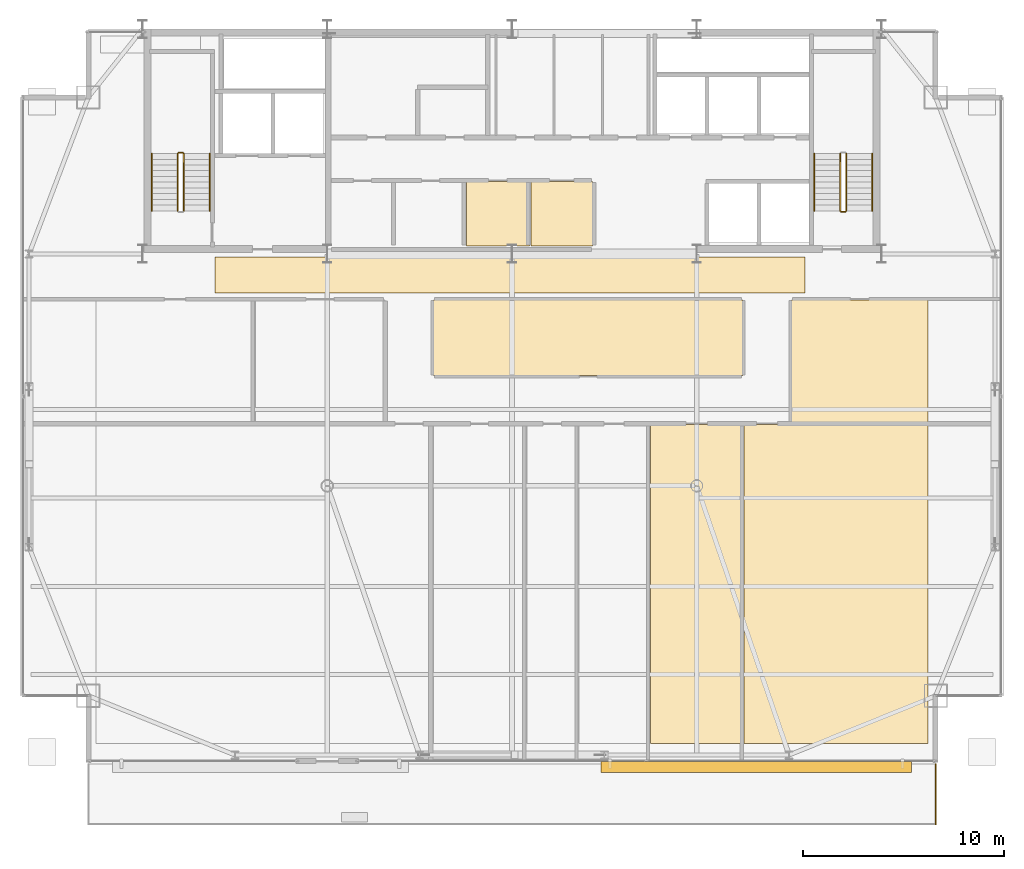
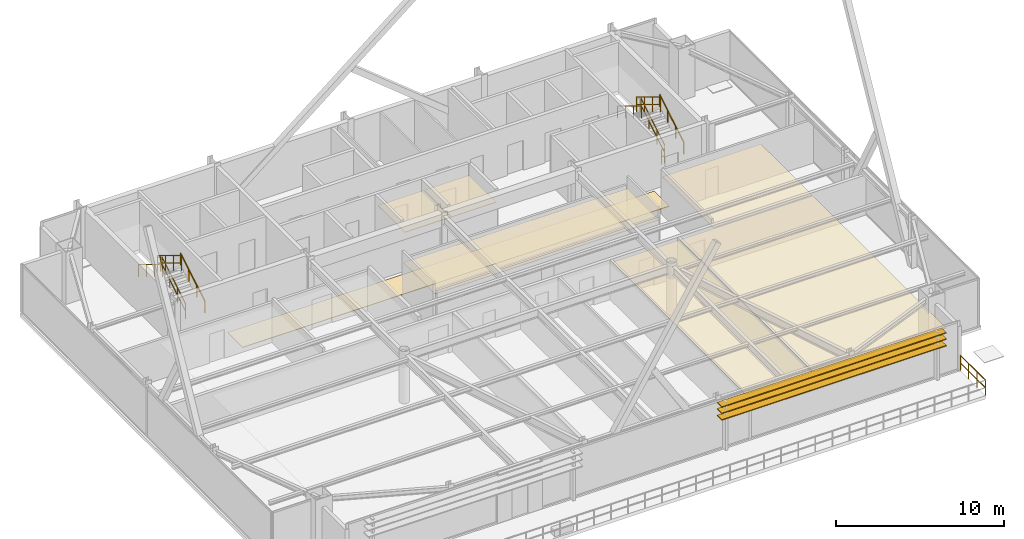
# One storey, part 32 of 33: 11 railings, 7 coverings, 3 shading devices.
"""IFC4 building model written with IfcOpenShell, lengths in metres."""

from ifc_helpers import new_model, si_unit, direction, frame, origin, origin_2d, place, context, subcontext, project, spatial, polyline, rectangle, outline, extrude, source, transform, mapped, material, layer, layer_set, type_object, type_shapes, element, save


model = new_model("IFC4")

# Units and contexts
model_context = context("Model", 3, precision=1e-05, world=origin(), true_north=direction((0.0, 1.0)))
body_context = subcontext(model_context, "Body", "Model", "MODEL_VIEW")
ifc_project = project(units=[si_unit("LENGTHUNIT", "METRE"), si_unit("AREAUNIT", "SQUARE_METRE"), si_unit("VOLUMEUNIT", "CUBIC_METRE"), si_unit("PLANEANGLEUNIT", "RADIAN"), si_unit("MASSUNIT", "GRAM", prefix="KILO")], contexts=[model_context])

# Site, building, storey
site_placement = place(None, origin())
site = spatial("IfcSite", under=ifc_project, at=site_placement, CompositionType="ELEMENT")
building_placement = place(site_placement, origin())
building = spatial("IfcBuilding", under=site, at=building_placement, Name="Varnel Quay Broadcast Tower", CompositionType="ELEMENT")
storey_placement = place(building_placement, frame((0.0, 0.0, 199.800048828125)))
storey = spatial("IfcBuildingStorey", under=building, at=storey_placement, Name="L49", CompositionType="ELEMENT", Elevation=199.800048828125)

# Coverings
ifc_material_1 = material(Name="Micro-Perforated Acoustic Ceiling Tile")
ifc_layer_1 = layer(ifc_material_1, 0.0400390625, Name="Micro-Perforated Acoustic Ceiling Tile")
ifc_layer_set_1 = layer_set([ifc_layer_1], Name="Micro-Perforated Acoustic Ceiling Tile")
covering_type_1 = type_object("IfcCoveringType", Name="Cov_AcousticCeiling", PredefinedType="CEILING", material=ifc_layer_set_1)
covering_1_placement = place(storey_placement, frame((0.0, 0.0, 2.579833984375)))
element("IfcCovering", 1, at=covering_1_placement, inside=storey, type_object=covering_type_1, Name="L49 Broadcast First-Aid & Quiet Room Acoustic Ceiling", PredefinedType="CEILING", context=body_context, shape_type="SweptSolid", body=[
    extrude(outline(polyline([(31.735107421875, 35.985107421875), (34.864990234375, 35.985107421875), (34.864990234375, 39.215087890625), (31.735107421875, 39.215087890625), (31.735107421875, 35.985107421875)])), origin(), (0.0, 0.0, 1.0), 0.0400390625),
])
covering_2_placement = place(storey_placement, frame((0.0, 0.0, 2.579833984375)))
element("IfcCovering", 2, at=covering_2_placement, inside=storey, type_object=covering_type_1, Name="L49 Zone Lighting Dimmer Room Acoustic Ceiling", PredefinedType="CEILING", context=body_context, shape_type="SweptSolid", body=[
    extrude(outline(polyline([(34.93505859375, 35.985107421875), (38.014892578125, 35.985107421875), (38.014892578125, 39.215087890625), (34.93505859375, 39.215087890625), (34.93505859375, 35.985107421875)])), origin(), (0.0, 0.0, 1.0), 0.0400390625),
])
covering_3_placement = place(storey_placement, frame((0.0, 0.0, 2.579833984375)))
element("IfcCovering", 3, at=covering_3_placement, inside=storey, type_object=covering_type_1, Name="L49 Broadcast Seminar Room 5 Acoustic Ceiling", PredefinedType="CEILING", context=body_context, shape_type="SweptSolid", body=[
    extrude(outline(polyline([(40.905029296875, 11.22509765625), (45.4951171875, 11.22509765625), (45.4951171875, 27.114990234375), (40.905029296875, 27.114990234375), (40.905029296875, 11.22509765625)])), origin(), (0.0, 0.0, 1.0), 0.0400390625),
])
covering_4_placement = place(storey_placement, frame((0.0, 0.0, 2.579833984375)))
element("IfcCovering", 4, at=covering_4_placement, inside=storey, type_object=covering_type_1, Name="L49 Press Briefing Room 6 Acoustic Ceiling", PredefinedType="CEILING", context=body_context, shape_type="SweptSolid", body=[
    extrude(outline(polyline([(45.56494140625, 11.22509765625), (54.715087890625, 11.22509765625), (54.715087890625, 27.114990234375), (45.56494140625, 27.114990234375), (45.56494140625, 11.22509765625)])), origin(), (0.0, 0.0, 1.0), 0.0400390625),
])
covering_5_placement = place(storey_placement, frame((0.0, 0.0, 2.579833984375)))
element("IfcCovering", 5, at=covering_5_placement, inside=storey, type_object=covering_type_1, Name="L49 Catering Kitchen 9 Acoustic Ceiling", PredefinedType="CEILING", context=body_context, shape_type="SweptSolid", body=[
    extrude(outline(polyline([(30.0849609375, 29.534912109375), (45.4951171875, 29.534912109375), (45.4951171875, 33.31494140625), (30.0849609375, 33.31494140625), (30.0849609375, 29.534912109375)])), origin(), (0.0, 0.0, 1.0), 0.0400390625),
])
covering_6_placement = place(storey_placement, frame((0.0, 0.0, 2.579833984375)))
element("IfcCovering", 6, at=covering_6_placement, inside=storey, type_object=covering_type_1, Name="L49 Bureau Office 10 Acoustic Ceiling", PredefinedType="CEILING", context=body_context, shape_type="SweptSolid", body=[
    extrude(outline(polyline([(47.9150390625, 27.18505859375), (54.715087890625, 27.18505859375), (54.715087890625, 33.31494140625), (47.9150390625, 33.31494140625), (47.9150390625, 27.18505859375)])), origin(), (0.0, 0.0, 1.0), 0.0400390625),
])
ifc_material_2 = material(Name="Polished Terrazzo & Broadcast Raised Flooring")
ifc_layer_2 = layer(ifc_material_2, 0.0400390625, Name="Polished Terrazzo & Broadcast Raised Flooring")
ifc_layer_set_2 = layer_set([ifc_layer_2], Name="Polished Terrazzo & Broadcast Raised Flooring")
covering_type_2 = type_object("IfcCoveringType", Name="Cov_TerrazzoFloor", PredefinedType="FLOORING", material=ifc_layer_set_2)
covering_7_placement = place(storey_placement, origin())
element("IfcCovering", 7, at=covering_7_placement, inside=storey, type_object=covering_type_2, Name="L49 Corridor Terrazzo Flooring", PredefinedType="FLOORING", context=body_context, shape_type="SweptSolid", body=[
    extrude(outline(polyline([(19.199951171875, 33.64990234375), (48.60009765625, 33.64990234375), (48.60009765625, 35.449951171875), (19.199951171875, 35.449951171875), (19.199951171875, 33.64990234375)])), origin(), (0.0, 0.0, 1.0), 0.0400390625),
])

# Railings
ifc_material_3 = material(Name="Anodised Bronze Aluminium 6063-T6", Category="aluminium")
railing_type_1 = type_object("IfcRailingType", Name="Rail_Balustrade1150", PredefinedType="BALUSTRADE", material=ifc_material_3)
railing_1_placement = place(storey_placement, frame((55.10009765625, 7.199951171875, 0.0)))
element("IfcRailing", 8, at=railing_1_placement, inside=storey, type_object=railing_type_1, Name="L49 Terrace 1 Guard 2", PredefinedType="BALUSTRADE", context=body_context, shape_type="SweptSolid", body=[
    extrude(rectangle(XDim=0.048095703125, YDim=0.048095703125, at=origin_2d()), frame((0.0, 0.0, 1.1259765625), z_axis=(0.0, 1.0, 0.0), x_axis=(-1.0, 0.0, 0.0)), (0.0, 0.0, 1.0), 3.0),
    extrude(rectangle(XDim=0.048095703125, YDim=0.048095703125, at=origin_2d()), frame((0.0, 0.0, 0.574951171875), z_axis=(0.0, 1.0, 0.0), x_axis=(-1.0, 0.0, 0.0)), (0.0, 0.0, 1.0), 3.0),
    extrude(rectangle(XDim=0.0419921875, YDim=0.0419921875, at=origin_2d()), origin(), (0.0, 0.0, 1.0), 1.101806640625),
    extrude(rectangle(XDim=0.0419921875, YDim=0.0419921875, at=origin_2d()), frame((0.0, 1.0, 0.0)), (0.0, 0.0, 1.0), 1.101806640625),
    extrude(rectangle(XDim=0.0419921875, YDim=0.0419921875, at=origin_2d()), frame((0.0, 2.0, 0.0)), (0.0, 0.0, 1.0), 1.101806640625),
    extrude(rectangle(XDim=0.0419921875, YDim=0.0419921875, at=origin_2d()), frame((0.0, 3.0, 0.0)), (0.0, 0.0, 1.0), 1.101806640625),
])
ifc_material_4 = material(Name="Painted Steel Guard and Handrail CSA G40.21 350W", Category="steel")
railing_type_2 = type_object("IfcRailingType", Name="Rail_StairGuard1100", PredefinedType="GUARDRAIL", material=ifc_material_4)
railing_2_placement = place(storey_placement, frame((17.64990234375, 37.75, 0.172607421875)))
element("IfcRailing", 9, at=railing_2_placement, inside=storey, type_object=railing_type_2, Name="L49 ST-01 stair guard 1", PredefinedType="GUARDRAIL", context=body_context, shape_type="SweptSolid", body=[
    extrude(rectangle(XDim=0.048095703125, YDim=0.048095703125, at=origin_2d()), frame((0.0, 0.0, 1.076171875), z_axis=(0.0, 0.855202751398, 0.518293598264), x_axis=(-1.0, 0.0, 0.0)), (0.0, 0.0, 1.0), 3.332763671875),
    extrude(rectangle(XDim=0.048095703125, YDim=0.048095703125, at=origin_2d()), frame((0.0, 0.0, 0.550048828125), z_axis=(0.0, 0.855202751398, 0.518293598264), x_axis=(-1.0, 0.0, 0.0)), (0.0, 0.0, 1.0), 3.332763671875),
    extrude(rectangle(XDim=0.0419921875, YDim=0.0419921875, at=origin_2d()), origin(), (0.0, 0.0, 1.0), 1.052001953125),
    extrude(rectangle(XDim=0.0419921875, YDim=0.0419921875, at=origin_2d()), frame((0.0, 0.949951171875, 0.57568359375)), (0.0, 0.0, 1.0), 1.052001953125),
    extrude(rectangle(XDim=0.0419921875, YDim=0.0419921875, at=origin_2d()), frame((0.0, 1.900146484375, 1.151611328125)), (0.0, 0.0, 1.0), 1.052001953125),
    extrude(rectangle(XDim=0.0419921875, YDim=0.0419921875, at=origin_2d()), frame((0.0, 2.85009765625, 1.727294921875)), (0.0, 0.0, 1.0), 1.052001953125),
])
railing_3_placement = place(storey_placement, frame((17.60009765625, 40.64990234375, 1.89990234375)))
element("IfcRailing", 10, at=railing_3_placement, inside=storey, type_object=railing_type_2, Name="L49 ST-01 stair guard 2", PredefinedType="GUARDRAIL", context=body_context, shape_type="SweptSolid", body=[
    extrude(rectangle(XDim=0.048095703125, YDim=0.048095703125, at=origin_2d()), frame((0.0, 0.0, 1.076171875), z_axis=(-1.0, 0.0, 0.0), x_axis=(0.0, -1.0, 0.0)), (0.0, 0.0, 1.0), 0.2001953125),
    extrude(rectangle(XDim=0.048095703125, YDim=0.048095703125, at=origin_2d()), frame((0.0, 0.0, 0.550048828125), z_axis=(-1.0, 0.0, 0.0), x_axis=(0.0, -1.0, 0.0)), (0.0, 0.0, 1.0), 0.2001953125),
    extrude(rectangle(XDim=0.0419921875, YDim=0.0419921875, at=origin_2d()), origin(), (0.0, 0.0, 1.0), 1.052001953125),
    extrude(rectangle(XDim=0.0419921875, YDim=0.0419921875, at=origin_2d()), frame((-0.2001953125, 0.0, 0.0)), (0.0, 0.0, 1.0), 1.052001953125),
])
railing_4_placement = place(storey_placement, frame((17.35009765625, 40.60009765625, 2.07275390625)))
element("IfcRailing", 11, at=railing_4_placement, inside=storey, type_object=railing_type_2, Name="L49 ST-01 stair guard 3", PredefinedType="GUARDRAIL", context=body_context, shape_type="SweptSolid", body=[
    extrude(rectangle(XDim=0.048095703125, YDim=0.048095703125, at=origin_2d()), frame((0.0, 0.0, 1.076171875), z_axis=(0.0, -0.855202751398, 0.518293598264), x_axis=(1.0, 0.0, 0.0)), (0.0, 0.0, 1.0), 3.332763671875),
    extrude(rectangle(XDim=0.048095703125, YDim=0.048095703125, at=origin_2d()), frame((0.0, 0.0, 0.550048828125), z_axis=(0.0, -0.855202751398, 0.518293598264), x_axis=(1.0, 0.0, 0.0)), (0.0, 0.0, 1.0), 3.332763671875),
    extrude(rectangle(XDim=0.0419921875, YDim=0.0419921875, at=origin_2d()), origin(), (0.0, 0.0, 1.0), 1.052001953125),
    extrude(rectangle(XDim=0.0419921875, YDim=0.0419921875, at=origin_2d()), frame((0.0, -0.949951171875, 0.57568359375)), (0.0, 0.0, 1.0), 1.052001953125),
    extrude(rectangle(XDim=0.0419921875, YDim=0.0419921875, at=origin_2d()), frame((0.0, -1.900146484375, 1.151611328125)), (0.0, 0.0, 1.0), 1.052001953125),
    extrude(rectangle(XDim=0.0419921875, YDim=0.0419921875, at=origin_2d()), frame((0.0, -2.85009765625, 1.727294921875)), (0.0, 0.0, 1.0), 1.052001953125),
])
railing_5_placement = place(storey_placement, frame((50.64990234375, 37.75, 0.172607421875)))
element("IfcRailing", 12, at=railing_5_placement, inside=storey, type_object=railing_type_2, Name="L49 ST-02 stair guard 1", PredefinedType="GUARDRAIL", context=body_context, shape_type="SweptSolid", body=[
    extrude(rectangle(XDim=0.048095703125, YDim=0.048095703125, at=origin_2d()), frame((0.0, 0.0, 1.076171875), z_axis=(0.0, 0.855202751398, 0.518293598264), x_axis=(-1.0, 0.0, 0.0)), (0.0, 0.0, 1.0), 3.332763671875),
    extrude(rectangle(XDim=0.048095703125, YDim=0.048095703125, at=origin_2d()), frame((0.0, 0.0, 0.550048828125), z_axis=(0.0, 0.855202751398, 0.518293598264), x_axis=(-1.0, 0.0, 0.0)), (0.0, 0.0, 1.0), 3.332763671875),
    extrude(rectangle(XDim=0.0419921875, YDim=0.0419921875, at=origin_2d()), origin(), (0.0, 0.0, 1.0), 1.052001953125),
    extrude(rectangle(XDim=0.0419921875, YDim=0.0419921875, at=origin_2d()), frame((0.0, 0.949951171875, 0.57568359375)), (0.0, 0.0, 1.0), 1.052001953125),
    extrude(rectangle(XDim=0.0419921875, YDim=0.0419921875, at=origin_2d()), frame((0.0, 1.900146484375, 1.151611328125)), (0.0, 0.0, 1.0), 1.052001953125),
    extrude(rectangle(XDim=0.0419921875, YDim=0.0419921875, at=origin_2d()), frame((0.0, 2.85009765625, 1.727294921875)), (0.0, 0.0, 1.0), 1.052001953125),
])
railing_6_placement = place(storey_placement, frame((50.35009765625, 40.60009765625, 2.07275390625)))
element("IfcRailing", 13, at=railing_6_placement, inside=storey, type_object=railing_type_2, Name="L49 ST-02 stair guard 3", PredefinedType="GUARDRAIL", context=body_context, shape_type="SweptSolid", body=[
    extrude(rectangle(XDim=0.048095703125, YDim=0.048095703125, at=origin_2d()), frame((0.0, 0.0, 1.076171875), z_axis=(0.0, -0.855202751398, 0.518293598264), x_axis=(1.0, 0.0, 0.0)), (0.0, 0.0, 1.0), 3.332763671875),
    extrude(rectangle(XDim=0.048095703125, YDim=0.048095703125, at=origin_2d()), frame((0.0, 0.0, 0.550048828125), z_axis=(0.0, -0.855202751398, 0.518293598264), x_axis=(1.0, 0.0, 0.0)), (0.0, 0.0, 1.0), 3.332763671875),
    extrude(rectangle(XDim=0.0419921875, YDim=0.0419921875, at=origin_2d()), origin(), (0.0, 0.0, 1.0), 1.052001953125),
    extrude(rectangle(XDim=0.0419921875, YDim=0.0419921875, at=origin_2d()), frame((0.0, -0.949951171875, 0.57568359375)), (0.0, 0.0, 1.0), 1.052001953125),
    extrude(rectangle(XDim=0.0419921875, YDim=0.0419921875, at=origin_2d()), frame((0.0, -1.900146484375, 1.151611328125)), (0.0, 0.0, 1.0), 1.052001953125),
    extrude(rectangle(XDim=0.0419921875, YDim=0.0419921875, at=origin_2d()), frame((0.0, -2.85009765625, 1.727294921875)), (0.0, 0.0, 1.0), 1.052001953125),
])
railing_7_placement = place(storey_placement, frame((50.60009765625, 37.699951171875, 0.0)))
element("IfcRailing", 14, at=railing_7_placement, inside=storey, type_object=railing_type_2, Name="L49 ST-02 stair guard 4", PredefinedType="GUARDRAIL", context=body_context, shape_type="SweptSolid", body=[
    extrude(rectangle(XDim=0.048095703125, YDim=0.048095703125, at=origin_2d()), frame((0.0, 0.0, 1.076171875), z_axis=(-1.0, 0.0, 0.0), x_axis=(0.0, -1.0, 0.0)), (0.0, 0.0, 1.0), 0.2001953125),
    extrude(rectangle(XDim=0.048095703125, YDim=0.048095703125, at=origin_2d()), frame((0.0, 0.0, 0.550048828125), z_axis=(-1.0, 0.0, 0.0), x_axis=(0.0, -1.0, 0.0)), (0.0, 0.0, 1.0), 0.2001953125),
    extrude(rectangle(XDim=0.0419921875, YDim=0.0419921875, at=origin_2d()), origin(), (0.0, 0.0, 1.0), 1.052001953125),
    extrude(rectangle(XDim=0.0419921875, YDim=0.0419921875, at=origin_2d()), frame((-0.2001953125, 0.0, 0.0)), (0.0, 0.0, 1.0), 1.052001953125),
])
railing_type_3 = type_object("IfcRailingType", Name="Rail_StairHandrail900", PredefinedType="HANDRAIL", material=ifc_material_4)
railing_8_placement = place(storey_placement, frame((18.949951171875, 37.75, 0.172607421875)))
element("IfcRailing", 15, at=railing_8_placement, inside=storey, type_object=railing_type_3, Name="L49 ST-01 stair handrail 1", PredefinedType="HANDRAIL", context=body_context, shape_type="SweptSolid", body=[
    extrude(rectangle(XDim=0.048095703125, YDim=0.048095703125, at=origin_2d()), frame((0.0, 0.0, 0.8759765625), z_axis=(0.0, 0.855202751398, 0.518293598264), x_axis=(-1.0, 0.0, 0.0)), (0.0, 0.0, 1.0), 3.332763671875),
    extrude(rectangle(XDim=0.0419921875, YDim=0.0419921875, at=origin_2d()), origin(), (0.0, 0.0, 1.0), 0.851806640625),
    extrude(rectangle(XDim=0.0419921875, YDim=0.0419921875, at=origin_2d()), frame((0.0, 0.949951171875, 0.57568359375)), (0.0, 0.0, 1.0), 0.851806640625),
    extrude(rectangle(XDim=0.0419921875, YDim=0.0419921875, at=origin_2d()), frame((0.0, 1.900146484375, 1.151611328125)), (0.0, 0.0, 1.0), 0.851806640625),
    extrude(rectangle(XDim=0.0419921875, YDim=0.0419921875, at=origin_2d()), frame((0.0, 2.85009765625, 1.727294921875)), (0.0, 0.0, 1.0), 0.851806640625),
])
railing_9_placement = place(storey_placement, frame((16.050048828125, 40.60009765625, 2.07275390625)))
element("IfcRailing", 16, at=railing_9_placement, inside=storey, type_object=railing_type_3, Name="L49 ST-01 stair handrail 2", PredefinedType="HANDRAIL", context=body_context, shape_type="SweptSolid", body=[
    extrude(rectangle(XDim=0.048095703125, YDim=0.048095703125, at=origin_2d()), frame((0.0, 0.0, 0.8759765625), z_axis=(0.0, -0.855202751398, 0.518293598264), x_axis=(1.0, 0.0, 0.0)), (0.0, 0.0, 1.0), 3.332763671875),
    extrude(rectangle(XDim=0.0419921875, YDim=0.0419921875, at=origin_2d()), origin(), (0.0, 0.0, 1.0), 0.851806640625),
    extrude(rectangle(XDim=0.0419921875, YDim=0.0419921875, at=origin_2d()), frame((0.0, -0.949951171875, 0.57568359375)), (0.0, 0.0, 1.0), 0.851806640625),
    extrude(rectangle(XDim=0.0419921875, YDim=0.0419921875, at=origin_2d()), frame((0.0, -1.900146484375, 1.151611328125)), (0.0, 0.0, 1.0), 0.851806640625),
    extrude(rectangle(XDim=0.0419921875, YDim=0.0419921875, at=origin_2d()), frame((0.0, -2.85009765625, 1.727294921875)), (0.0, 0.0, 1.0), 0.851806640625),
])
railing_10_placement = place(storey_placement, frame((51.949951171875, 37.75, 0.172607421875)))
element("IfcRailing", 17, at=railing_10_placement, inside=storey, type_object=railing_type_3, Name="L49 ST-02 stair handrail 1", PredefinedType="HANDRAIL", context=body_context, shape_type="SweptSolid", body=[
    extrude(rectangle(XDim=0.048095703125, YDim=0.048095703125, at=origin_2d()), frame((0.0, 0.0, 0.8759765625), z_axis=(0.0, 0.855202751398, 0.518293598264), x_axis=(-1.0, 0.0, 0.0)), (0.0, 0.0, 1.0), 3.332763671875),
    extrude(rectangle(XDim=0.0419921875, YDim=0.0419921875, at=origin_2d()), origin(), (0.0, 0.0, 1.0), 0.851806640625),
    extrude(rectangle(XDim=0.0419921875, YDim=0.0419921875, at=origin_2d()), frame((0.0, 0.949951171875, 0.57568359375)), (0.0, 0.0, 1.0), 0.851806640625),
    extrude(rectangle(XDim=0.0419921875, YDim=0.0419921875, at=origin_2d()), frame((0.0, 1.900146484375, 1.151611328125)), (0.0, 0.0, 1.0), 0.851806640625),
    extrude(rectangle(XDim=0.0419921875, YDim=0.0419921875, at=origin_2d()), frame((0.0, 2.85009765625, 1.727294921875)), (0.0, 0.0, 1.0), 0.851806640625),
])
railing_11_placement = place(storey_placement, frame((49.050048828125, 40.60009765625, 2.07275390625)))
element("IfcRailing", 18, at=railing_11_placement, inside=storey, type_object=railing_type_3, Name="L49 ST-02 stair handrail 2", PredefinedType="HANDRAIL", context=body_context, shape_type="SweptSolid", body=[
    extrude(rectangle(XDim=0.048095703125, YDim=0.048095703125, at=origin_2d()), frame((0.0, 0.0, 0.8759765625), z_axis=(0.0, -0.855202751398, 0.518293598264), x_axis=(1.0, 0.0, 0.0)), (0.0, 0.0, 1.0), 3.332763671875),
    extrude(rectangle(XDim=0.0419921875, YDim=0.0419921875, at=origin_2d()), origin(), (0.0, 0.0, 1.0), 0.851806640625),
    extrude(rectangle(XDim=0.0419921875, YDim=0.0419921875, at=origin_2d()), frame((0.0, -0.949951171875, 0.57568359375)), (0.0, 0.0, 1.0), 0.851806640625),
    extrude(rectangle(XDim=0.0419921875, YDim=0.0419921875, at=origin_2d()), frame((0.0, -1.900146484375, 1.151611328125)), (0.0, 0.0, 1.0), 0.851806640625),
    extrude(rectangle(XDim=0.0419921875, YDim=0.0419921875, at=origin_2d()), frame((0.0, -2.85009765625, 1.727294921875)), (0.0, 0.0, 1.0), 0.851806640625),
])

# Shading devices
ifc_material_5 = material(Name="Bronze-Terracotta Extruded Ceramic Blade", Category="masonry")
ifc_layer_3 = layer(ifc_material_5, 0.06494140625, Name="Bronze-Terracotta Extruded Ceramic Blade")
ifc_layer_set_3 = layer_set([ifc_layer_3], Name="Bronze-Terracotta Extruded Ceramic Blade")
shading_device_type = type_object("IfcShadingDeviceType", Name="Shade_LouvreBlade550", PredefinedType="JALOUSIE", material=ifc_layer_set_3)
shared_shape = source(origin(), body_context, "Body", "SweptSolid", [
    extrude(rectangle(XDim=15.466064453125, YDim=0.550048828125, at=origin_2d()), origin(), (0.0, 0.0, 1.0), 0.06494140625),
])
type_shapes(shading_device_type, [shared_shape])
for number, where, z_axis, x_axis, name in (
    (19, (46.1669921875, 10.06005859375, 2.447509765625), (0.0, 0.0, 1.0), (1.0, 0.0, 0.0), "L49 Lobe 2 Horizontal Louvre Blade 1"),
    (20, (46.1669921875, 10.06005859375, 2.927490234375), (0.0, 0.0, 1.0), (1.0, 0.0, 0.0), "L49 Lobe 2 Horizontal Louvre Blade 2"),
    (21, (46.1669921875, 10.06005859375, 3.387451171875), (0.0, 0.0, 1.0), (1.0, 0.0, 0.0), "L49 Lobe 2 Horizontal Louvre Blade 3"),
):
    element("IfcShadingDevice", number, at=place(storey_placement, frame(where, z_axis=z_axis, x_axis=x_axis)), inside=storey, type_object=shading_device_type, Name=name, PredefinedType="JALOUSIE", context=body_context, shape_type="MappedRepresentation", body=[
        mapped(shared_shape, transform((0.0, 0.0, 0.0), x_axis=(1.0, 0.0, 0.0), y_axis=(0.0, 1.0, 0.0), z_axis=(0.0, 0.0, 1.0), scale=1.0)),
    ])

save(model, "model.ifc")
